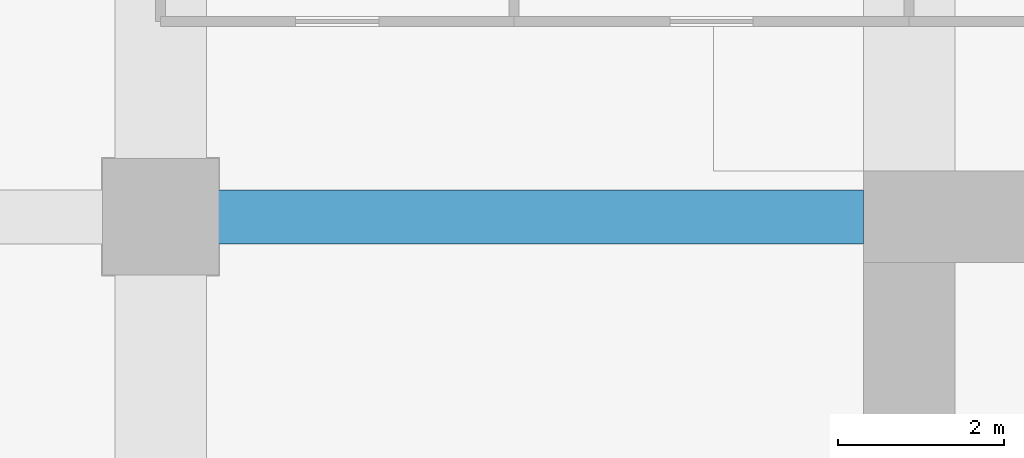
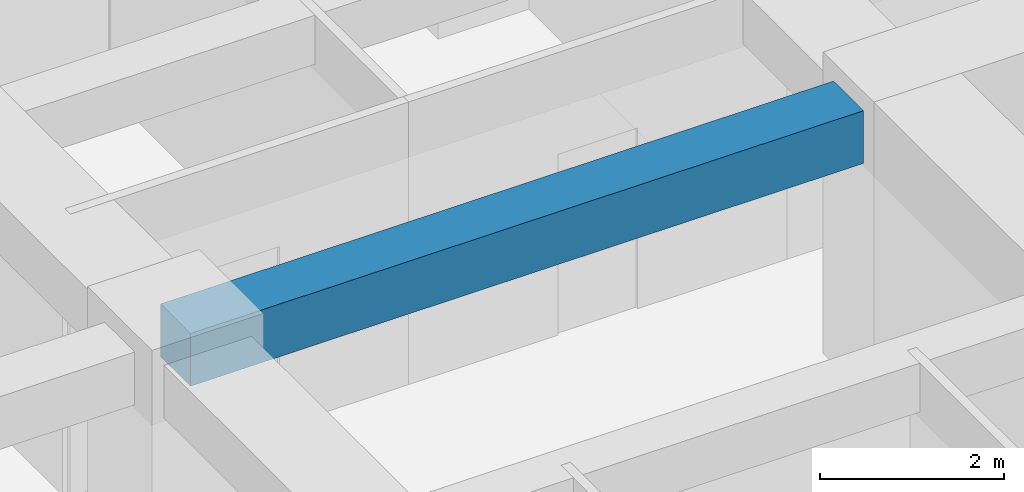
# One storey, part 21 of 32: 1 beam.
"""IFC4 building model written with IfcOpenShell, lengths in metres."""

from ifc_helpers import new_model, si_unit, direction, frame, origin, origin_2d, place, context, subcontext, project, spatial, rectangle, extrude, material, material_profile, profile_set, type_object, element, save


model = new_model("IFC4")

# Units and contexts
model_context = context("Model", 3, precision=1e-05, world=origin(), true_north=direction((0.0, 1.0)))
body_context = subcontext(model_context, "Body", "Model", "MODEL_VIEW")
ifc_project = project(units=[si_unit("LENGTHUNIT", "METRE"), si_unit("AREAUNIT", "SQUARE_METRE"), si_unit("VOLUMEUNIT", "CUBIC_METRE"), si_unit("PLANEANGLEUNIT", "RADIAN"), si_unit("MASSUNIT", "GRAM", prefix="KILO")], contexts=[model_context])

# Site, building, storey
site_placement = place(None, origin())
site = spatial("IfcSite", under=ifc_project, at=site_placement, CompositionType="ELEMENT")
building_placement = place(site_placement, origin())
building = spatial("IfcBuilding", under=site, at=building_placement, Name="Zorevar Civic Tower", CompositionType="ELEMENT")
storey_placement = place(building_placement, frame((0.0, 0.0, 202.199951171875)))
storey = spatial("IfcBuildingStorey", under=building, at=storey_placement, Name="L49", CompositionType="ELEMENT", Elevation=202.199951171875)

# Beam
ifc_material = material(Name="Concrete C50/60", Category="concrete")
ifc_material_profile = material_profile(ifc_material, rectangle(XDim=0.64990234375, YDim=0.699951171875, at=origin_2d()), Name="RC 650x700")
ifc_profile_set = profile_set([ifc_material_profile], Name="Concrete C50/60")
beam_type = type_object("IfcBeamType", Name="Beam RC 650x700", PredefinedType="BEAM", material=ifc_profile_set)
beam_placement = place(storey_placement, frame((9.0, 36.0, 3.400146484375), z_axis=(1.0, 0.0, 0.0), x_axis=(0.0, 1.0, 0.0)))
element("IfcBeam", 1, at=beam_placement, inside=storey, type_object=beam_type, Name="Girder L50", PredefinedType="BEAM", context=body_context, shape_type="SweptSolid", body=[
    extrude(rectangle(XDim=0.64990234375, YDim=0.699951171875, at=origin_2d()), origin(), (0.0, 0.0, 1.0), 8.449951171875),
])

save(model, "model.ifc")
